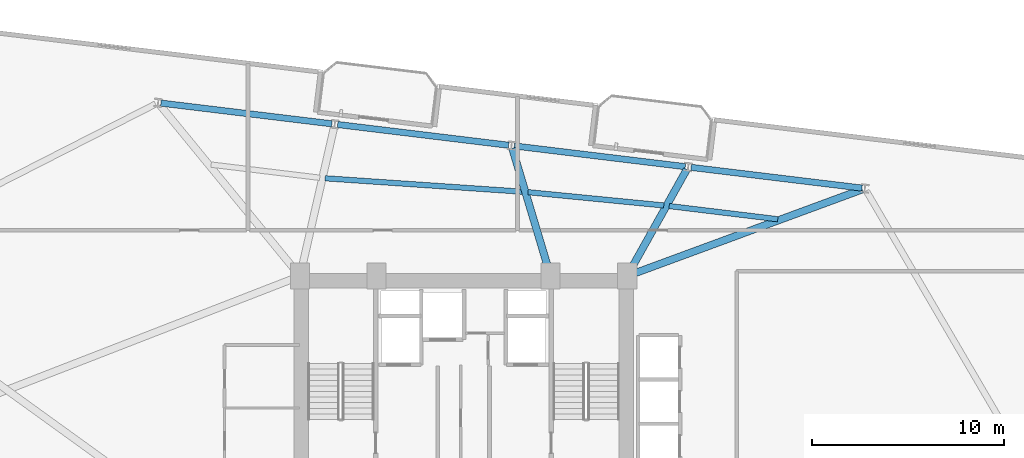
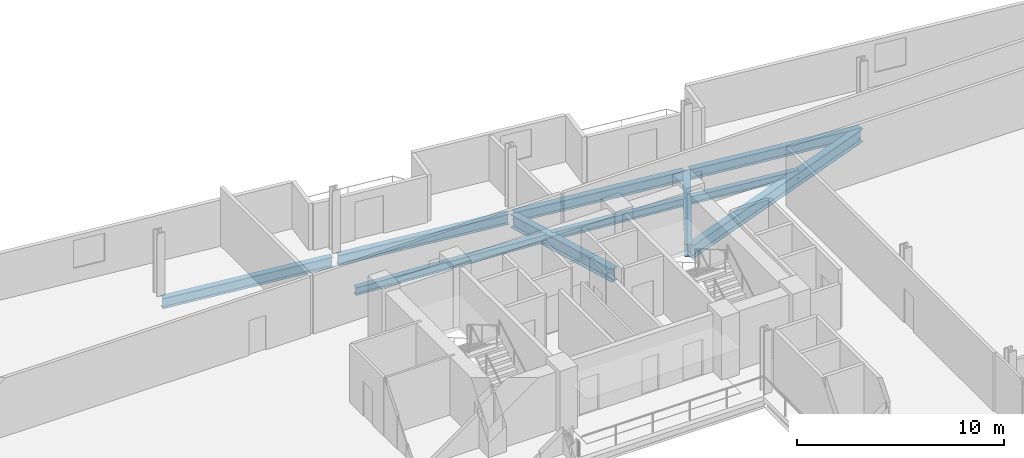
# One storey, part 13 of 25: 10 beams.
"""IFC4 building model written with IfcOpenShell, lengths in metres."""

from ifc_helpers import new_model, si_unit, direction, frame, origin, origin_2d, place, context, subcontext, project, spatial, i_section, extrude, material, material_profile, profile_set, type_object, element, save


model = new_model("IFC4")

# Units and contexts
model_context = context("Model", 3, precision=1e-05, world=origin(), true_north=direction((0.0, 1.0)))
body_context = subcontext(model_context, "Body", "Model", "MODEL_VIEW")
ifc_project = project(units=[si_unit("LENGTHUNIT", "METRE"), si_unit("AREAUNIT", "SQUARE_METRE"), si_unit("VOLUMEUNIT", "CUBIC_METRE"), si_unit("PLANEANGLEUNIT", "RADIAN"), si_unit("MASSUNIT", "GRAM", prefix="KILO")], contexts=[model_context])

# Site, building, storey
site_placement = place(None, origin())
site = spatial("IfcSite", under=ifc_project, at=site_placement, CompositionType="ELEMENT")
building_placement = place(site_placement, origin())
building = spatial("IfcBuilding", under=site, at=building_placement, Name="Varnelok Gate Tower", CompositionType="ELEMENT")
storey_placement = place(building_placement, frame((0.0, 0.0, 140.199951171875)))
storey = spatial("IfcBuildingStorey", under=building, at=storey_placement, Name="L35", CompositionType="ELEMENT", Elevation=140.199951171875)

# Beams
ifc_material = material(Name="Structural Steel ASTM A992 Grade 50", Category="steel")
ifc_material_profile_1 = material_profile(ifc_material, i_section(OverallWidth=0.280029296875, OverallDepth=0.462890625, WebThickness=0.0107421875, FlangeThickness=0.017333984375, FilletRadius=0.014892578125, at=origin_2d()), Name="W18X76")
ifc_profile_set_1 = profile_set([ifc_material_profile_1], Name="Structural Steel ASTM A992 Grade 50")
beam_type_1 = type_object("IfcBeamType", Name="BM-JST-W18X76", PredefinedType="JOIST", material=ifc_profile_set_1)
beam_1_placement = place(storey_placement, frame((55.529541015625, 42.003662109375, -0.4814453125), z_axis=(-0.992732072323, 0.12034547179, 0.0), x_axis=(-0.12034547179, -0.992732072323, 0.0)))
element("IfcBeam", 1, at=beam_1_placement, inside=storey, type_object=beam_type_1, Name="L35 Sector Floor Joist 7", PredefinedType="JOIST", context=body_context, shape_type="SweptSolid", body=[
    extrude(i_section(OverallWidth=0.280029296875, OverallDepth=0.462890625, WebThickness=0.0107421875, FlangeThickness=0.017333984375, FilletRadius=0.014892578125, at=origin_2d()), origin(), (0.0, 0.0, 1.0), 5.686279296875),
])
beam_2_placement = place(storey_placement, frame((49.606201171875, 42.718505859375, -0.4814453125), z_axis=(-0.995244965706, 0.097403584307, 0.0), x_axis=(-0.097403584307, -0.995244965706, 0.0)))
element("IfcBeam", 2, at=beam_2_placement, inside=storey, type_object=beam_type_1, Name="L35 Sector Floor Joist 8", PredefinedType="JOIST", context=body_context, shape_type="SweptSolid", body=[
    extrude(i_section(OverallWidth=0.280029296875, OverallDepth=0.462890625, WebThickness=0.0107421875, FlangeThickness=0.017333984375, FilletRadius=0.014892578125, at=origin_2d()), origin(), (0.0, 0.0, 1.0), 7.0908203125),
])
beam_3_placement = place(storey_placement, frame((42.27001953125, 43.432373046875, -0.4814453125), z_axis=(-0.997689983187, 0.067931564447, 0.0), x_axis=(-0.067931564447, -0.997689983187, 0.0)))
element("IfcBeam", 3, at=beam_3_placement, inside=storey, type_object=beam_type_1, Name="L35 Sector Floor Joist 9", PredefinedType="JOIST", context=body_context, shape_type="SweptSolid", body=[
    extrude(i_section(OverallWidth=0.280029296875, OverallDepth=0.462890625, WebThickness=0.0107421875, FlangeThickness=0.017333984375, FilletRadius=0.014892578125, at=origin_2d()), origin(), (0.0, 0.0, 1.0), 10.289306640625),
])
ifc_material_profile_2 = material_profile(ifc_material, i_section(OverallWidth=0.381103515625, OverallDepth=0.77294921875, WebThickness=0.0166015625, FlangeThickness=0.027099609375, FilletRadius=0.02197265625, at=origin_2d()), Name="W30X173")
ifc_profile_set_2 = profile_set([ifc_material_profile_2], Name="Structural Steel ASTM A992 Grade 50")
beam_type_2 = type_object("IfcBeamType", Name="BM-PRI-W30X173", PredefinedType="BEAM", material=ifc_profile_set_2)
beam_4_placement = place(storey_placement, frame((47.8408203125, 39.101806640625, -0.636474609375), z_axis=(0.938296458402, 0.345831976761, 0.0), x_axis=(-0.345831976761, 0.938296458402, 0.0)))
element("IfcBeam", 4, at=beam_4_placement, inside=storey, type_object=beam_type_2, Name="L35 Radial Floor Girder 9", PredefinedType="BEAM", context=body_context, shape_type="SweptSolid", body=[
    extrude(i_section(OverallWidth=0.381103515625, OverallDepth=0.77294921875, WebThickness=0.0166015625, FlangeThickness=0.027099609375, FilletRadius=0.02197265625, at=origin_2d()), origin(), (0.0, 0.0, 1.0), 12.86669921875),
])
beam_5_placement = place(storey_placement, frame((47.773193359375, 39.180908203125, -0.636474609375), z_axis=(0.48838490004, 0.872628322605, 0.0), x_axis=(-0.872628322605, 0.48838490004, 0.0)))
element("IfcBeam", 5, at=beam_5_placement, inside=storey, type_object=beam_type_2, Name="L35 Radial Floor Girder 10", PredefinedType="BEAM", context=body_context, shape_type="SweptSolid", body=[
    extrude(i_section(OverallWidth=0.381103515625, OverallDepth=0.77294921875, WebThickness=0.0166015625, FlangeThickness=0.027099609375, FilletRadius=0.02197265625, at=origin_2d()), origin(), (0.0, 0.0, 1.0), 6.193603515625),
])
beam_6_placement = place(storey_placement, frame((43.677001953125, 39.193603515625, -0.636474609375), z_axis=(-0.28702069947, 0.957924380145, 0.0), x_axis=(-0.957924380145, -0.28702069947, 0.0)))
element("IfcBeam", 6, at=beam_6_placement, inside=storey, type_object=beam_type_2, Name="L35 Radial Floor Girder 11", PredefinedType="BEAM", context=body_context, shape_type="SweptSolid", body=[
    extrude(i_section(OverallWidth=0.381103515625, OverallDepth=0.77294921875, WebThickness=0.0166015625, FlangeThickness=0.027099609375, FilletRadius=0.02197265625, at=origin_2d()), origin(), (0.0, 0.0, 1.0), 6.777587890625),
])
ifc_material_profile_3 = material_profile(ifc_material, i_section(OverallWidth=0.323974609375, OverallDepth=0.611083984375, WebThickness=0.0126953125, FlangeThickness=0.01904296875, FilletRadius=0.01806640625, at=origin_2d()), Name="W24X104")
ifc_profile_set_3 = profile_set([ifc_material_profile_3], Name="Structural Steel ASTM A992 Grade 50")
beam_type_3 = type_object("IfcBeamType", Name="BM-SPN-W24X104", PredefinedType="SPANDREL", material=ifc_profile_set_3)
for number, where, z_axis, x_axis, name in (
    (7, (59.905517578125, 43.621337890625, -0.555419921875), (-0.99273141198, 0.120350918849, 0.0), (-0.120350918849, -0.99273141198, 0.0), "L35 Perimeter Spandrel Beam 9"),
    (8, (50.72265625, 44.734619140625, -0.555419921875), (-0.992734670707, 0.120324035735, 0.0), (-0.120324035735, -0.992734670707, 0.0), "L35 Perimeter Spandrel Beam 10"),
    (9, (41.539794921875, 45.847900390625, -0.555419921875), (-0.992734670707, 0.120324035735, 0.0), (-0.120324035735, -0.992734670707, 0.0), "L35 Perimeter Spandrel Beam 11"),
    (10, (32.357177734375, 46.9609375, -0.555419921875), (-0.99273141198, 0.120350918849, 0.0), (-0.120350918849, -0.99273141198, 0.0), "L35 Perimeter Spandrel Beam 12"),
):
    element("IfcBeam", number, at=place(storey_placement, frame(where, z_axis=z_axis, x_axis=x_axis)), inside=storey, type_object=beam_type_3, Name=name, PredefinedType="SPANDREL", context=body_context, shape_type="SweptSolid", body=[
        extrude(i_section(OverallWidth=0.323974609375, OverallDepth=0.611083984375, WebThickness=0.0126953125, FlangeThickness=0.01904296875, FilletRadius=0.01806640625, at=origin_2d()), origin(), (0.0, 0.0, 1.0), 8.949951171875),
    ])

save(model, "model.ifc")
